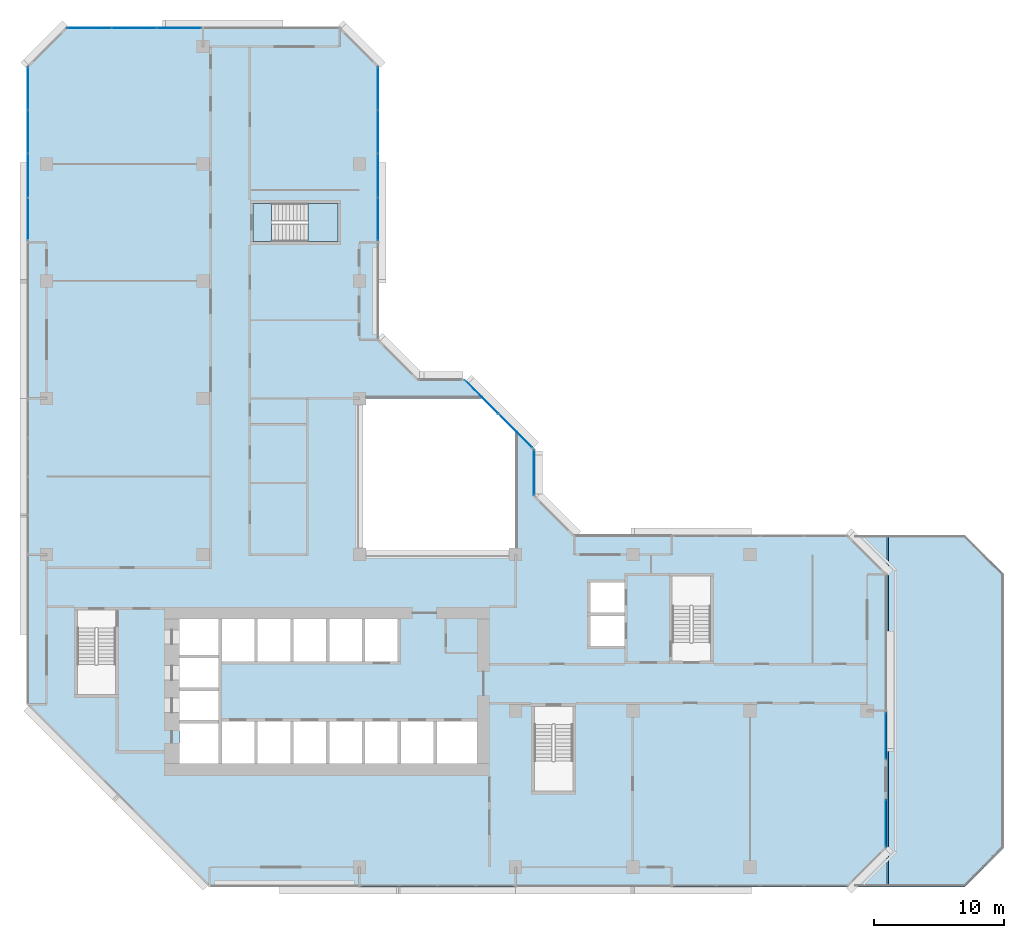
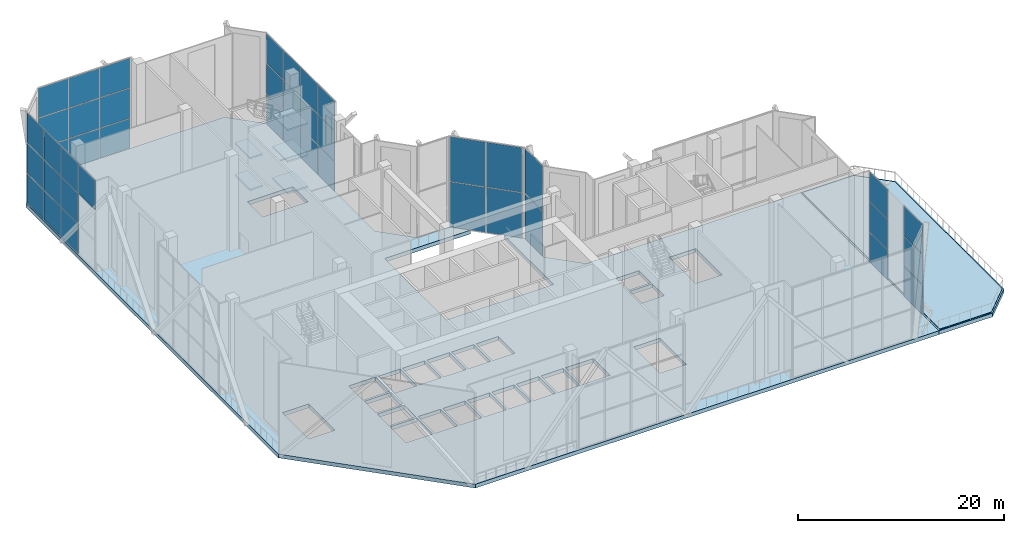
# One storey, part 11 of 21: 43 plates, 8 slabs, 8 elements without a shape of their own.
"""IFC4 building model written with IfcOpenShell, lengths in metres."""

from ifc_helpers import new_model, si_unit, direction, frame, origin, origin_2d, place, context, subcontext, project, spatial, polyline, rectangle, outline, extrude, material, layer, layer_set, type_object, element, aggregate, save


model = new_model("IFC4")

# Units and contexts
model_context = context("Model", 3, precision=1e-05, world=origin(), true_north=direction((0.0, 1.0)))
body_context = subcontext(model_context, "Body", "Model", "MODEL_VIEW")
ifc_project = project(units=[si_unit("LENGTHUNIT", "METRE"), si_unit("AREAUNIT", "SQUARE_METRE"), si_unit("VOLUMEUNIT", "CUBIC_METRE"), si_unit("PLANEANGLEUNIT", "RADIAN"), si_unit("MASSUNIT", "GRAM", prefix="KILO")], contexts=[model_context])

# Site, building, storey
site_placement = place(None, origin())
site = spatial("IfcSite", under=ifc_project, at=site_placement, CompositionType="ELEMENT")
building_placement = place(site_placement, origin())
building = spatial("IfcBuilding", under=site, at=building_placement, Name="Chenar Terraces", CompositionType="ELEMENT")
storey_placement = place(building_placement, frame((0.0, 0.0, 146.14990234375)))
storey = spatial("IfcBuildingStorey", under=building, at=storey_placement, Name="L34", CompositionType="ELEMENT", Elevation=146.14990234375)

# Curtain wall, plates
ifc_material_1 = material(Name="Aluminium framed glazing", Category="aluminium")
ifc_layer_1 = layer(ifc_material_1, 0.14990234375)
ifc_layer_set_1 = layer_set([ifc_layer_1], Name="Aluminium framed glazing")
curtain_wall_type_1 = type_object("IfcCurtainWallType", Name="Atrium mid-zone curtain wall", PredefinedType="NOTDEFINED", material=ifc_layer_set_1)
placement_1 = place(storey_placement, origin())
curtain_wall_1 = element("IfcCurtainWall", 1, at=placement_1, inside=storey, type_object=curtain_wall_type_1, Name="Atrium mid-zone curtain wall", PredefinedType="NOTDEFINED")
ifc_material_2 = material(Name="Low emissivity laminated glass, solar control coating", Category="glass")
ifc_layer_2 = layer(ifc_material_2, 0.031982421875)
ifc_layer_set_2 = layer_set([ifc_layer_2], Name="Low emissivity laminated glass, solar control coating")
plate_type_1 = type_object("IfcPlateType", Name="Atrium mid-zone glazing panel 32", PredefinedType="CURTAIN_PANEL", material=ifc_layer_set_2)
plate_1_placement = place(storey_placement, frame((37.425048828125, 30.300048828125, 0.06982421875), z_axis=(0.0, 0.0, 1.0), x_axis=(0.0, 1.0, 0.0)))
plate_1 = element("IfcPlate", 2, at=plate_1_placement, type_object=plate_type_1, Name="CW7-1 panel 1.1", PredefinedType="CURTAIN_PANEL", context=body_context, shape_type="SweptSolid", body=[
    extrude(rectangle(XDim=3.4599609375, YDim=0.031982421875, at=origin_2d()), origin(), (0.0, 0.0, 1.0), 5.320068359375),
])
plate_2_placement = place(storey_placement, frame((37.425048828125, 30.300048828125, 5.4599609375), z_axis=(0.0, 0.0, 1.0), x_axis=(0.0, 1.0, 0.0)))
plate_2 = element("IfcPlate", 3, at=plate_2_placement, type_object=plate_type_1, Name="CW7-1 panel 1.2", PredefinedType="CURTAIN_PANEL", context=body_context, shape_type="SweptSolid", body=[
    extrude(rectangle(XDim=3.4599609375, YDim=0.031982421875, at=origin_2d()), origin(), (0.0, 0.0, 1.0), 5.320068359375),
])
aggregate(curtain_wall_1, [plate_1, plate_2])

curtain_wall_2 = element("IfcCurtainWall", 4, at=placement_1, inside=storey, type_object=curtain_wall_type_1, Name="Atrium mid-zone curtain wall", PredefinedType="NOTDEFINED")
plate_3_placement = place(storey_placement, frame((35.978515625, 33.515380859375, 0.06982421875), z_axis=(0.0, 0.0, 1.0), x_axis=(-0.707106781187, 0.707106781187, 0.0)))
plate_3 = element("IfcPlate", 5, at=plate_3_placement, type_object=plate_type_1, Name="CW7-2 panel 1.1", PredefinedType="CURTAIN_PANEL", context=body_context, shape_type="SweptSolid", body=[
    extrude(rectangle(XDim=3.61328125, YDim=0.031982421875, at=origin_2d()), origin(), (0.0, 0.0, 1.0), 5.320068359375),
])
plate_4_placement = place(storey_placement, frame((35.978515625, 33.515380859375, 5.4599609375), z_axis=(0.0, 0.0, 1.0), x_axis=(-0.707106781187, 0.707106781187, 0.0)))
plate_4 = element("IfcPlate", 6, at=plate_4_placement, type_object=plate_type_1, Name="CW7-2 panel 1.2", PredefinedType="CURTAIN_PANEL", context=body_context, shape_type="SweptSolid", body=[
    extrude(rectangle(XDim=3.61328125, YDim=0.031982421875, at=origin_2d()), origin(), (0.0, 0.0, 1.0), 5.320068359375),
])
plate_5_placement = place(storey_placement, frame((33.3740234375, 36.119873046875, 0.06982421875), z_axis=(0.0, 0.0, 1.0), x_axis=(-0.707106781187, 0.707106781187, 0.0)))
plate_5 = element("IfcPlate", 7, at=plate_5_placement, type_object=plate_type_1, Name="CW7-2 panel 2.1", PredefinedType="CURTAIN_PANEL", context=body_context, shape_type="SweptSolid", body=[
    extrude(rectangle(XDim=3.61328125, YDim=0.031982421875, at=origin_2d()), origin(), (0.0, 0.0, 1.0), 5.320068359375),
])
plate_6_placement = place(storey_placement, frame((33.3740234375, 36.119873046875, 5.4599609375), z_axis=(0.0, 0.0, 1.0), x_axis=(-0.707106781187, 0.707106781187, 0.0)))
plate_6 = element("IfcPlate", 8, at=plate_6_placement, type_object=plate_type_1, Name="CW7-2 panel 2.2", PredefinedType="CURTAIN_PANEL", context=body_context, shape_type="SweptSolid", body=[
    extrude(rectangle(XDim=3.61328125, YDim=0.031982421875, at=origin_2d()), origin(), (0.0, 0.0, 1.0), 5.320068359375),
])
aggregate(curtain_wall_2, [plate_3, plate_4, plate_5, plate_6])

# Stair, slabs
ifc_material_3 = material(Name="Reinforced concrete C40/50", Category="concrete")
stair_type = type_object("IfcStairType", Name="Core stair 1400 half-turn", PredefinedType="HALF_TURN_STAIR", material=ifc_material_3)
stair = element("IfcStair", 9, at=placement_1, inside=storey, type_object=stair_type, Name="L34 Stair 4", PredefinedType="HALF_TURN_STAIR")
ifc_material_4 = material(Name="Reinforced concrete C40/50", Category="concrete")
ifc_layer_3 = layer(ifc_material_4, 0.199951171875)
ifc_layer_set_3 = layer_set([ifc_layer_3], Name="Reinforced concrete C40/50")
slab_type_1 = type_object("IfcSlabType", Name="Core stair landing 200", PredefinedType="LANDING", material=ifc_layer_set_3)
slab_1_placement = place(storey_placement, frame((0.0, 0.0, 1.675048828125)))
slab_1 = element("IfcSlab", 10, at=slab_1_placement, type_object=slab_type_1, Name="ST4 landing 1", PredefinedType="LANDING", context=body_context, shape_type="SweptSolid", body=[
    extrude(outline(polyline([(20.050048828125, 48.02490234375), (22.35009765625, 48.02490234375), (22.35009765625, 50.97509765625), (20.050048828125, 50.97509765625), (20.050048828125, 48.02490234375)])), origin(), (0.0, 0.0, 1.0), 0.199951171875),
])
slab_2_placement = place(storey_placement, frame((0.0, 0.0, 3.550048828125)))
slab_2 = element("IfcSlab", 11, at=slab_2_placement, type_object=slab_type_1, Name="ST4 landing 2", PredefinedType="LANDING", context=body_context, shape_type="SweptSolid", body=[
    extrude(outline(polyline([(15.85009765625, 48.02490234375), (17.25, 48.02490234375), (17.25, 50.97509765625), (15.85009765625, 50.97509765625), (15.85009765625, 48.02490234375)])), origin(), (0.0, 0.0, 1.0), 0.199951171875),
])
slab_3_placement = place(storey_placement, frame((0.0, 0.0, 5.425048828125)))
slab_3 = element("IfcSlab", 12, at=slab_3_placement, type_object=slab_type_1, Name="ST4 landing 3", PredefinedType="LANDING", context=body_context, shape_type="SweptSolid", body=[
    extrude(outline(polyline([(20.050048828125, 48.02490234375), (22.35009765625, 48.02490234375), (22.35009765625, 50.97509765625), (20.050048828125, 50.97509765625), (20.050048828125, 48.02490234375)])), origin(), (0.0, 0.0, 1.0), 0.199951171875),
])
slab_4_placement = place(storey_placement, frame((0.0, 0.0, 7.300048828125)))
slab_4 = element("IfcSlab", 13, at=slab_4_placement, type_object=slab_type_1, Name="ST4 landing 4", PredefinedType="LANDING", context=body_context, shape_type="SweptSolid", body=[
    extrude(outline(polyline([(15.85009765625, 48.02490234375), (17.25, 48.02490234375), (17.25, 50.97509765625), (15.85009765625, 50.97509765625), (15.85009765625, 48.02490234375)])), origin(), (0.0, 0.0, 1.0), 0.199951171875),
])
slab_5_placement = place(storey_placement, frame((0.0, 0.0, 9.175048828125)))
slab_5 = element("IfcSlab", 14, at=slab_5_placement, type_object=slab_type_1, Name="ST4 landing 5", PredefinedType="LANDING", context=body_context, shape_type="SweptSolid", body=[
    extrude(outline(polyline([(20.050048828125, 48.02490234375), (22.35009765625, 48.02490234375), (22.35009765625, 50.97509765625), (20.050048828125, 50.97509765625), (20.050048828125, 48.02490234375)])), origin(), (0.0, 0.0, 1.0), 0.199951171875),
])
aggregate(stair, [slab_1, slab_2, slab_3, slab_4, slab_5])

# Slab
ifc_material_5 = material(Name="Concrete C40/50", Category="concrete")
ifc_layer_4 = layer(ifc_material_5, 0.449951171875)
ifc_layer_set_4 = layer_set([ifc_layer_4], Name="Concrete C40/50")
slab_type_2 = type_object("IfcSlabType", Name="Floor slab 450 Concrete C40/50", PredefinedType="FLOOR", material=ifc_layer_set_4)
placement_2 = place(storey_placement, frame((0.0, 0.0, -0.449951171875)))
element("IfcSlab", 15, at=placement_2, inside=storey, type_object=slab_type_2, Name="Floor slab L34", PredefinedType="FLOOR", context=body_context, shape_type="SweptSolid", body=[
    extrude(outline(polyline([(61.501953125, -1.498046875), (12.500732421875, -1.498046875), (-1.498046875, 12.500732421875), (-1.498046875, 61.499267578125), (1.500732421875, 64.498046875), (22.499267578125, 64.498046875), (25.498046875, 61.499267578125), (25.498046875, 40.499267578125), (28.499267578125, 37.498046875), (32.09912109375, 37.498046875), (33.59716796875, 36.0), (24.0, 36.0), (24.0, 24.0), (36.0, 24.0), (36.0, 33.59716796875), (37.498046875, 32.09912109375), (37.498046875, 28.499267578125), (40.499267578125, 25.498046875), (61.501953125, 25.498046875), (61.5, 25.5), (64.5, 25.5), (64.5, 22.5), (64.498046875, 22.501953125), (64.498046875, 1.498046875), (64.5, 1.5), (64.5, -1.5), (61.5, -1.5), (61.501953125, -1.498046875)]), holes=[polyline([(13.199951171875, 11.050048828125), (10.199951171875, 11.050048828125), (10.199951171875, 7.949951171875), (13.199951171875, 7.949951171875), (13.199951171875, 11.050048828125)]), polyline([(15.949951171875, 11.199951171875), (13.449951171875, 11.199951171875), (13.449951171875, 7.949951171875), (15.949951171875, 7.949951171875), (15.949951171875, 11.199951171875)]), polyline([(18.699951171875, 11.199951171875), (16.199951171875, 11.199951171875), (16.199951171875, 7.949951171875), (18.699951171875, 7.949951171875), (18.699951171875, 11.199951171875)]), polyline([(21.449951171875, 7.949951171875), (21.449951171875, 11.199951171875), (18.949951171875, 11.199951171875), (18.949951171875, 7.949951171875), (21.449951171875, 7.949951171875)]), polyline([(13.199951171875, 11.300048828125), (13.199951171875, 13.550048828125), (10.199951171875, 13.550048828125), (10.199951171875, 11.300048828125), (13.199951171875, 11.300048828125)]), polyline([(13.199951171875, 16.050048828125), (10.199951171875, 16.050048828125), (10.199951171875, 13.800048828125), (13.199951171875, 13.800048828125), (13.199951171875, 16.050048828125)]), polyline([(2.35009765625, 18.35009765625), (2.35009765625, 13.25), (5.300048828125, 13.25), (5.300048828125, 18.35009765625), (2.35009765625, 18.35009765625)]), polyline([(15.949951171875, 15.800048828125), (15.949951171875, 19.050048828125), (13.449951171875, 19.050048828125), (13.449951171875, 15.800048828125), (15.949951171875, 15.800048828125)]), polyline([(18.699951171875, 19.050048828125), (16.199951171875, 19.050048828125), (16.199951171875, 15.800048828125), (18.699951171875, 15.800048828125), (18.699951171875, 19.050048828125)]), polyline([(21.449951171875, 15.800048828125), (21.449951171875, 19.050048828125), (18.949951171875, 19.050048828125), (18.949951171875, 15.800048828125), (21.449951171875, 15.800048828125)]), polyline([(13.199951171875, 16.300048828125), (13.199951171875, 19.050048828125), (10.199951171875, 19.050048828125), (10.199951171875, 16.300048828125), (13.199951171875, 16.300048828125)]), polyline([(22.35009765625, 48.02490234375), (22.35009765625, 50.97509765625), (17.25, 50.97509765625), (17.25, 48.02490234375), (22.35009765625, 48.02490234375)]), polyline([(37.449951171875, 10.949951171875), (37.449951171875, 5.85009765625), (40.39990234375, 5.85009765625), (40.39990234375, 10.949951171875), (37.449951171875, 10.949951171875)]), polyline([(24.199951171875, 7.949951171875), (24.199951171875, 11.199951171875), (21.699951171875, 11.199951171875), (21.699951171875, 7.949951171875), (24.199951171875, 7.949951171875)]), polyline([(26.949951171875, 11.199951171875), (24.449951171875, 11.199951171875), (24.449951171875, 7.949951171875), (26.949951171875, 7.949951171875), (26.949951171875, 11.199951171875)]), polyline([(29.699951171875, 7.949951171875), (29.699951171875, 11.199951171875), (27.199951171875, 11.199951171875), (27.199951171875, 7.949951171875), (29.699951171875, 7.949951171875)]), polyline([(33.050048828125, 7.949951171875), (33.050048828125, 11.199951171875), (29.949951171875, 11.199951171875), (29.949951171875, 7.949951171875), (33.050048828125, 7.949951171875)]), polyline([(24.199951171875, 19.050048828125), (21.699951171875, 19.050048828125), (21.699951171875, 15.800048828125), (24.199951171875, 15.800048828125), (24.199951171875, 19.050048828125)]), polyline([(26.949951171875, 15.800048828125), (26.949951171875, 19.050048828125), (24.449951171875, 19.050048828125), (24.449951171875, 15.800048828125), (26.949951171875, 15.800048828125)]), polyline([(44.35009765625, 17.0), (44.35009765625, 19.300048828125), (41.75, 19.300048828125), (41.75, 17.0), (44.35009765625, 17.0)]), polyline([(50.97509765625, 22.35009765625), (48.02490234375, 22.35009765625), (48.02490234375, 17.25), (50.97509765625, 17.25), (50.97509765625, 22.35009765625)]), polyline([(44.35009765625, 19.550048828125), (44.35009765625, 21.85009765625), (41.75, 21.85009765625), (41.75, 19.550048828125), (44.35009765625, 19.550048828125)])]), origin(), (0.0, 0.0, 1.0), 0.449951171875),
])

# Curtain wall, plates
ifc_material_6 = material(Name="Aluminium framed glazing", Category="aluminium")
ifc_layer_5 = layer(ifc_material_6, 0.14990234375)
ifc_layer_set_5 = layer_set([ifc_layer_5], Name="Aluminium framed glazing")
curtain_wall_type_2 = type_object("IfcCurtainWallType", Name="Sky garden curtain wall", PredefinedType="NOTDEFINED", material=ifc_layer_set_5)
curtain_wall_3 = element("IfcCurtainWall", 16, at=placement_1, inside=storey, type_object=curtain_wall_type_2, Name="Sky garden curtain wall", PredefinedType="NOTDEFINED")
ifc_material_7 = material(Name="Low emissivity laminated glass, solar control coating", Category="glass")
ifc_layer_6 = layer(ifc_material_7, 0.031982421875)
ifc_layer_set_6 = layer_set([ifc_layer_6], Name="Low emissivity laminated glass, solar control coating")
plate_type_2 = type_object("IfcPlateType", Name="Sky garden glazing panel 32", PredefinedType="CURTAIN_PANEL", material=ifc_layer_set_6)
plate_7_placement = place(storey_placement, frame((25.425048828125, 49.773193359375, 0.080078125), z_axis=(0.0, 0.0, 1.0), x_axis=(0.0, 1.0, 0.0)))
plate_7 = element("IfcPlate", 17, at=plate_7_placement, type_object=plate_type_2, Name="CW3-02 panel 1.1", PredefinedType="CURTAIN_PANEL", context=body_context, shape_type="SweptSolid", body=[
    extrude(rectangle(XDim=3.236328125, YDim=0.028076171875, at=origin_2d()), origin(), (0.0, 0.0, 1.0), 3.4970703125),
])
plate_8_placement = place(storey_placement, frame((25.425048828125, 49.773193359375, 3.6572265625), z_axis=(0.0, 0.0, 1.0), x_axis=(0.0, 1.0, 0.0)))
plate_8 = element("IfcPlate", 18, at=plate_8_placement, type_object=plate_type_2, Name="CW3-02 panel 1.2", PredefinedType="CURTAIN_PANEL", context=body_context, shape_type="SweptSolid", body=[
    extrude(rectangle(XDim=3.236328125, YDim=0.028076171875, at=origin_2d()), origin(), (0.0, 0.0, 1.0), 3.535888671875),
])
plate_9_placement = place(storey_placement, frame((25.425048828125, 49.773193359375, 7.27294921875), z_axis=(0.0, 0.0, 1.0), x_axis=(0.0, 1.0, 0.0)))
plate_9 = element("IfcPlate", 19, at=plate_9_placement, type_object=plate_type_2, Name="CW3-02 panel 1.3", PredefinedType="CURTAIN_PANEL", context=body_context, shape_type="SweptSolid", body=[
    extrude(rectangle(XDim=3.236328125, YDim=0.028076171875, at=origin_2d()), origin(), (0.0, 0.0, 1.0), 3.4970703125),
])
plate_10_placement = place(storey_placement, frame((25.425048828125, 53.109375, 0.080078125), z_axis=(0.0, 0.0, 1.0), x_axis=(0.0, 1.0, 0.0)))
plate_10 = element("IfcPlate", 20, at=plate_10_placement, type_object=plate_type_2, Name="CW3-02 panel 2.1", PredefinedType="CURTAIN_PANEL", context=body_context, shape_type="SweptSolid", body=[
    extrude(rectangle(XDim=3.2763671875, YDim=0.028076171875, at=origin_2d()), origin(), (0.0, 0.0, 1.0), 3.4970703125),
])
plate_11_placement = place(storey_placement, frame((25.425048828125, 53.109375, 3.6572265625), z_axis=(0.0, 0.0, 1.0), x_axis=(0.0, 1.0, 0.0)))
plate_11 = element("IfcPlate", 21, at=plate_11_placement, type_object=plate_type_2, Name="CW3-02 panel 2.2", PredefinedType="CURTAIN_PANEL", context=body_context, shape_type="SweptSolid", body=[
    extrude(rectangle(XDim=3.2763671875, YDim=0.028076171875, at=origin_2d()), origin(), (0.0, 0.0, 1.0), 3.535888671875),
])
plate_12_placement = place(storey_placement, frame((25.425048828125, 53.109375, 7.27294921875), z_axis=(0.0, 0.0, 1.0), x_axis=(0.0, 1.0, 0.0)))
plate_12 = element("IfcPlate", 22, at=plate_12_placement, type_object=plate_type_2, Name="CW3-02 panel 2.3", PredefinedType="CURTAIN_PANEL", context=body_context, shape_type="SweptSolid", body=[
    extrude(rectangle(XDim=3.2763671875, YDim=0.028076171875, at=origin_2d()), origin(), (0.0, 0.0, 1.0), 3.4970703125),
])
plate_13_placement = place(storey_placement, frame((25.425048828125, 56.465576171875, 0.080078125), z_axis=(0.0, 0.0, 1.0), x_axis=(0.0, 1.0, 0.0)))
plate_13 = element("IfcPlate", 23, at=plate_13_placement, type_object=plate_type_2, Name="CW3-02 panel 3.1", PredefinedType="CURTAIN_PANEL", context=body_context, shape_type="SweptSolid", body=[
    extrude(rectangle(XDim=3.2763671875, YDim=0.028076171875, at=origin_2d()), origin(), (0.0, 0.0, 1.0), 3.4970703125),
])
plate_14_placement = place(storey_placement, frame((25.425048828125, 56.465576171875, 3.6572265625), z_axis=(0.0, 0.0, 1.0), x_axis=(0.0, 1.0, 0.0)))
plate_14 = element("IfcPlate", 24, at=plate_14_placement, type_object=plate_type_2, Name="CW3-02 panel 3.2", PredefinedType="CURTAIN_PANEL", context=body_context, shape_type="SweptSolid", body=[
    extrude(rectangle(XDim=3.2763671875, YDim=0.028076171875, at=origin_2d()), origin(), (0.0, 0.0, 1.0), 3.535888671875),
])
plate_15_placement = place(storey_placement, frame((25.425048828125, 56.465576171875, 7.27294921875), z_axis=(0.0, 0.0, 1.0), x_axis=(0.0, 1.0, 0.0)))
plate_15 = element("IfcPlate", 25, at=plate_15_placement, type_object=plate_type_2, Name="CW3-02 panel 3.3", PredefinedType="CURTAIN_PANEL", context=body_context, shape_type="SweptSolid", body=[
    extrude(rectangle(XDim=3.2763671875, YDim=0.028076171875, at=origin_2d()), origin(), (0.0, 0.0, 1.0), 3.4970703125),
])
plate_16_placement = place(storey_placement, frame((25.425048828125, 59.8017578125, 0.080078125), z_axis=(0.0, 0.0, 1.0), x_axis=(0.0, 1.0, 0.0)))
plate_16 = element("IfcPlate", 26, at=plate_16_placement, type_object=plate_type_2, Name="CW3-02 panel 4.1", PredefinedType="CURTAIN_PANEL", context=body_context, shape_type="SweptSolid", body=[
    extrude(rectangle(XDim=3.236328125, YDim=0.028076171875, at=origin_2d()), origin(), (0.0, 0.0, 1.0), 3.4970703125),
])
plate_17_placement = place(storey_placement, frame((25.425048828125, 59.8017578125, 3.6572265625), z_axis=(0.0, 0.0, 1.0), x_axis=(0.0, 1.0, 0.0)))
plate_17 = element("IfcPlate", 27, at=plate_17_placement, type_object=plate_type_2, Name="CW3-02 panel 4.2", PredefinedType="CURTAIN_PANEL", context=body_context, shape_type="SweptSolid", body=[
    extrude(rectangle(XDim=3.236328125, YDim=0.028076171875, at=origin_2d()), origin(), (0.0, 0.0, 1.0), 3.535888671875),
])
plate_18_placement = place(storey_placement, frame((25.425048828125, 59.8017578125, 7.27294921875), z_axis=(0.0, 0.0, 1.0), x_axis=(0.0, 1.0, 0.0)))
plate_18 = element("IfcPlate", 28, at=plate_18_placement, type_object=plate_type_2, Name="CW3-02 panel 4.3", PredefinedType="CURTAIN_PANEL", context=body_context, shape_type="SweptSolid", body=[
    extrude(rectangle(XDim=3.236328125, YDim=0.028076171875, at=origin_2d()), origin(), (0.0, 0.0, 1.0), 3.4970703125),
])
aggregate(curtain_wall_3, [plate_7, plate_8, plate_9, plate_10, plate_11, plate_12, plate_13, plate_14, plate_15, plate_16, plate_17, plate_18])

curtain_wall_4 = element("IfcCurtainWall", 29, at=placement_1, inside=storey, type_object=curtain_wall_type_2, Name="Sky garden curtain wall", PredefinedType="NOTDEFINED")
plate_19_placement = place(storey_placement, frame((10.16748046875, 64.425048828125, 0.080078125), z_axis=(0.0, 0.0, 1.0), x_axis=(-1.0, 0.0, 0.0)))
plate_19 = element("IfcPlate", 30, at=plate_19_placement, type_object=plate_type_2, Name="CW3-03 panel 1.1", PredefinedType="CURTAIN_PANEL", context=body_context, shape_type="SweptSolid", body=[
    extrude(rectangle(XDim=3.35498046875, YDim=0.028076171875, at=origin_2d()), origin(), (0.0, 0.0, 1.0), 3.4970703125),
])
plate_20_placement = place(storey_placement, frame((10.16748046875, 64.425048828125, 3.6572265625), z_axis=(0.0, 0.0, 1.0), x_axis=(-1.0, 0.0, 0.0)))
plate_20 = element("IfcPlate", 31, at=plate_20_placement, type_object=plate_type_2, Name="CW3-03 panel 1.2", PredefinedType="CURTAIN_PANEL", context=body_context, shape_type="SweptSolid", body=[
    extrude(rectangle(XDim=3.35498046875, YDim=0.028076171875, at=origin_2d()), origin(), (0.0, 0.0, 1.0), 3.535888671875),
])
plate_21_placement = place(storey_placement, frame((10.16748046875, 64.425048828125, 7.27294921875), z_axis=(0.0, 0.0, 1.0), x_axis=(-1.0, 0.0, 0.0)))
plate_21 = element("IfcPlate", 32, at=plate_21_placement, type_object=plate_type_2, Name="CW3-03 panel 1.3", PredefinedType="CURTAIN_PANEL", context=body_context, shape_type="SweptSolid", body=[
    extrude(rectangle(XDim=3.35498046875, YDim=0.028076171875, at=origin_2d()), origin(), (0.0, 0.0, 1.0), 3.4970703125),
])
plate_22_placement = place(storey_placement, frame((6.71240234375, 64.425048828125, 0.080078125), z_axis=(0.0, 0.0, 1.0), x_axis=(-1.0, 0.0, 0.0)))
plate_22 = element("IfcPlate", 33, at=plate_22_placement, type_object=plate_type_2, Name="CW3-03 panel 2.1", PredefinedType="CURTAIN_PANEL", context=body_context, shape_type="SweptSolid", body=[
    extrude(rectangle(XDim=3.39501953125, YDim=0.028076171875, at=origin_2d()), origin(), (0.0, 0.0, 1.0), 3.4970703125),
])
plate_23_placement = place(storey_placement, frame((6.71240234375, 64.425048828125, 3.6572265625), z_axis=(0.0, 0.0, 1.0), x_axis=(-1.0, 0.0, 0.0)))
plate_23 = element("IfcPlate", 34, at=plate_23_placement, type_object=plate_type_2, Name="CW3-03 panel 2.2", PredefinedType="CURTAIN_PANEL", context=body_context, shape_type="SweptSolid", body=[
    extrude(rectangle(XDim=3.39501953125, YDim=0.028076171875, at=origin_2d()), origin(), (0.0, 0.0, 1.0), 3.535888671875),
])
plate_24_placement = place(storey_placement, frame((6.71240234375, 64.425048828125, 7.27294921875), z_axis=(0.0, 0.0, 1.0), x_axis=(-1.0, 0.0, 0.0)))
plate_24 = element("IfcPlate", 35, at=plate_24_placement, type_object=plate_type_2, Name="CW3-03 panel 2.3", PredefinedType="CURTAIN_PANEL", context=body_context, shape_type="SweptSolid", body=[
    extrude(rectangle(XDim=3.39501953125, YDim=0.028076171875, at=origin_2d()), origin(), (0.0, 0.0, 1.0), 3.4970703125),
])
plate_25_placement = place(storey_placement, frame((3.257568359375, 64.425048828125, 0.080078125), z_axis=(0.0, 0.0, 1.0), x_axis=(-1.0, 0.0, 0.0)))
plate_25 = element("IfcPlate", 36, at=plate_25_placement, type_object=plate_type_2, Name="CW3-03 panel 3.1", PredefinedType="CURTAIN_PANEL", context=body_context, shape_type="SweptSolid", body=[
    extrude(rectangle(XDim=3.35498046875, YDim=0.028076171875, at=origin_2d()), origin(), (0.0, 0.0, 1.0), 3.4970703125),
])
plate_26_placement = place(storey_placement, frame((3.257568359375, 64.425048828125, 3.6572265625), z_axis=(0.0, 0.0, 1.0), x_axis=(-1.0, 0.0, 0.0)))
plate_26 = element("IfcPlate", 37, at=plate_26_placement, type_object=plate_type_2, Name="CW3-03 panel 3.2", PredefinedType="CURTAIN_PANEL", context=body_context, shape_type="SweptSolid", body=[
    extrude(rectangle(XDim=3.35498046875, YDim=0.028076171875, at=origin_2d()), origin(), (0.0, 0.0, 1.0), 3.535888671875),
])
plate_27_placement = place(storey_placement, frame((3.257568359375, 64.425048828125, 7.27294921875), z_axis=(0.0, 0.0, 1.0), x_axis=(-1.0, 0.0, 0.0)))
plate_27 = element("IfcPlate", 38, at=plate_27_placement, type_object=plate_type_2, Name="CW3-03 panel 3.3", PredefinedType="CURTAIN_PANEL", context=body_context, shape_type="SweptSolid", body=[
    extrude(rectangle(XDim=3.35498046875, YDim=0.028076171875, at=origin_2d()), origin(), (0.0, 0.0, 1.0), 3.4970703125),
])
aggregate(curtain_wall_4, [plate_19, plate_20, plate_21, plate_22, plate_23, plate_24, plate_25, plate_26, plate_27])

curtain_wall_5 = element("IfcCurtainWall", 39, at=placement_1, inside=storey, type_object=curtain_wall_type_2, Name="Sky garden curtain wall", PredefinedType="NOTDEFINED")
plate_28_placement = place(storey_placement, frame((-1.425048828125, 59.8017578125, 0.080078125), z_axis=(0.0, 0.0, 1.0), x_axis=(0.0, -1.0, 0.0)))
plate_28 = element("IfcPlate", 40, at=plate_28_placement, type_object=plate_type_2, Name="CW3-04 panel 1.1", PredefinedType="CURTAIN_PANEL", context=body_context, shape_type="SweptSolid", body=[
    extrude(rectangle(XDim=3.236328125, YDim=0.028076171875, at=origin_2d()), origin(), (0.0, 0.0, 1.0), 3.4970703125),
])
plate_29_placement = place(storey_placement, frame((-1.425048828125, 59.8017578125, 3.6572265625), z_axis=(0.0, 0.0, 1.0), x_axis=(0.0, -1.0, 0.0)))
plate_29 = element("IfcPlate", 41, at=plate_29_placement, type_object=plate_type_2, Name="CW3-04 panel 1.2", PredefinedType="CURTAIN_PANEL", context=body_context, shape_type="SweptSolid", body=[
    extrude(rectangle(XDim=3.236328125, YDim=0.028076171875, at=origin_2d()), origin(), (0.0, 0.0, 1.0), 3.535888671875),
])
plate_30_placement = place(storey_placement, frame((-1.425048828125, 59.8017578125, 7.27294921875), z_axis=(0.0, 0.0, 1.0), x_axis=(0.0, -1.0, 0.0)))
plate_30 = element("IfcPlate", 42, at=plate_30_placement, type_object=plate_type_2, Name="CW3-04 panel 1.3", PredefinedType="CURTAIN_PANEL", context=body_context, shape_type="SweptSolid", body=[
    extrude(rectangle(XDim=3.236328125, YDim=0.028076171875, at=origin_2d()), origin(), (0.0, 0.0, 1.0), 3.4970703125),
])
plate_31_placement = place(storey_placement, frame((-1.425048828125, 56.465576171875, 0.080078125), z_axis=(0.0, 0.0, 1.0), x_axis=(0.0, -1.0, 0.0)))
plate_31 = element("IfcPlate", 43, at=plate_31_placement, type_object=plate_type_2, Name="CW3-04 panel 2.1", PredefinedType="CURTAIN_PANEL", context=body_context, shape_type="SweptSolid", body=[
    extrude(rectangle(XDim=3.2763671875, YDim=0.028076171875, at=origin_2d()), origin(), (0.0, 0.0, 1.0), 3.4970703125),
])
plate_32_placement = place(storey_placement, frame((-1.425048828125, 56.465576171875, 3.6572265625), z_axis=(0.0, 0.0, 1.0), x_axis=(0.0, -1.0, 0.0)))
plate_32 = element("IfcPlate", 44, at=plate_32_placement, type_object=plate_type_2, Name="CW3-04 panel 2.2", PredefinedType="CURTAIN_PANEL", context=body_context, shape_type="SweptSolid", body=[
    extrude(rectangle(XDim=3.2763671875, YDim=0.028076171875, at=origin_2d()), origin(), (0.0, 0.0, 1.0), 3.535888671875),
])
plate_33_placement = place(storey_placement, frame((-1.425048828125, 56.465576171875, 7.27294921875), z_axis=(0.0, 0.0, 1.0), x_axis=(0.0, -1.0, 0.0)))
plate_33 = element("IfcPlate", 45, at=plate_33_placement, type_object=plate_type_2, Name="CW3-04 panel 2.3", PredefinedType="CURTAIN_PANEL", context=body_context, shape_type="SweptSolid", body=[
    extrude(rectangle(XDim=3.2763671875, YDim=0.028076171875, at=origin_2d()), origin(), (0.0, 0.0, 1.0), 3.4970703125),
])
plate_34_placement = place(storey_placement, frame((-1.425048828125, 53.109375, 0.080078125), z_axis=(0.0, 0.0, 1.0), x_axis=(0.0, -1.0, 0.0)))
plate_34 = element("IfcPlate", 46, at=plate_34_placement, type_object=plate_type_2, Name="CW3-04 panel 3.1", PredefinedType="CURTAIN_PANEL", context=body_context, shape_type="SweptSolid", body=[
    extrude(rectangle(XDim=3.2763671875, YDim=0.028076171875, at=origin_2d()), origin(), (0.0, 0.0, 1.0), 3.4970703125),
])
plate_35_placement = place(storey_placement, frame((-1.425048828125, 53.109375, 3.6572265625), z_axis=(0.0, 0.0, 1.0), x_axis=(0.0, -1.0, 0.0)))
plate_35 = element("IfcPlate", 47, at=plate_35_placement, type_object=plate_type_2, Name="CW3-04 panel 3.2", PredefinedType="CURTAIN_PANEL", context=body_context, shape_type="SweptSolid", body=[
    extrude(rectangle(XDim=3.2763671875, YDim=0.028076171875, at=origin_2d()), origin(), (0.0, 0.0, 1.0), 3.535888671875),
])
plate_36_placement = place(storey_placement, frame((-1.425048828125, 53.109375, 7.27294921875), z_axis=(0.0, 0.0, 1.0), x_axis=(0.0, -1.0, 0.0)))
plate_36 = element("IfcPlate", 48, at=plate_36_placement, type_object=plate_type_2, Name="CW3-04 panel 3.3", PredefinedType="CURTAIN_PANEL", context=body_context, shape_type="SweptSolid", body=[
    extrude(rectangle(XDim=3.2763671875, YDim=0.028076171875, at=origin_2d()), origin(), (0.0, 0.0, 1.0), 3.4970703125),
])
plate_37_placement = place(storey_placement, frame((-1.425048828125, 49.773193359375, 7.27294921875), z_axis=(0.0, 0.0, 1.0), x_axis=(0.0, -1.0, 0.0)))
plate_37 = element("IfcPlate", 49, at=plate_37_placement, type_object=plate_type_2, Name="CW3-04 panel 4.3", PredefinedType="CURTAIN_PANEL", context=body_context, shape_type="SweptSolid", body=[
    extrude(rectangle(XDim=3.236328125, YDim=0.028076171875, at=origin_2d()), origin(), (0.0, 0.0, 1.0), 3.4970703125),
])
aggregate(curtain_wall_5, [plate_28, plate_29, plate_30, plate_31, plate_32, plate_33, plate_34, plate_35, plate_36, plate_37])

curtain_wall_6 = element("IfcCurtainWall", 50, at=placement_1, inside=storey, type_object=curtain_wall_type_2, Name="Sky garden curtain wall", PredefinedType="NOTDEFINED")
plate_38_placement = place(storey_placement, frame((64.425048828125, 3.36865234375, 0.080078125), z_axis=(0.0, 0.0, 1.0), x_axis=(0.0, 1.0, 0.0)))
plate_38 = element("IfcPlate", 51, at=plate_38_placement, type_object=plate_type_2, Name="CW3-08 panel 1.1", PredefinedType="CURTAIN_PANEL", context=body_context, shape_type="SweptSolid", body=[
    extrude(rectangle(XDim=3.577392578125, YDim=0.028076171875, at=origin_2d()), origin(), (0.0, 0.0, 1.0), 3.4970703125),
])
plate_39_placement = place(storey_placement, frame((64.425048828125, 3.36865234375, 3.6572265625), z_axis=(0.0, 0.0, 1.0), x_axis=(0.0, 1.0, 0.0)))
plate_39 = element("IfcPlate", 52, at=plate_39_placement, type_object=plate_type_2, Name="CW3-08 panel 1.2", PredefinedType="CURTAIN_PANEL", context=body_context, shape_type="SweptSolid", body=[
    extrude(rectangle(XDim=3.577392578125, YDim=0.028076171875, at=origin_2d()), origin(), (0.0, 0.0, 1.0), 3.535888671875),
])
plate_40_placement = place(storey_placement, frame((64.425048828125, 3.36865234375, 7.27294921875), z_axis=(0.0, 0.0, 1.0), x_axis=(0.0, 1.0, 0.0)))
plate_40 = element("IfcPlate", 53, at=plate_40_placement, type_object=plate_type_2, Name="CW3-08 panel 1.3", PredefinedType="CURTAIN_PANEL", context=body_context, shape_type="SweptSolid", body=[
    extrude(rectangle(XDim=3.577392578125, YDim=0.028076171875, at=origin_2d()), origin(), (0.0, 0.0, 1.0), 3.4970703125),
])
aggregate(curtain_wall_6, [plate_38, plate_39, plate_40])

curtain_wall_7 = element("IfcCurtainWall", 54, at=placement_1, inside=storey, type_object=curtain_wall_type_2, Name="Sky garden curtain wall", PredefinedType="NOTDEFINED")
plate_41_placement = place(storey_placement, frame((64.425048828125, 10.09375, 0.080078125), z_axis=(0.0, 0.0, 1.0), x_axis=(0.0, 1.0, 0.0)))
plate_41 = element("IfcPlate", 55, at=plate_41_placement, type_object=plate_type_2, Name="CW3-09 panel 1.1", PredefinedType="CURTAIN_PANEL", context=body_context, shape_type="SweptSolid", body=[
    extrude(rectangle(XDim=3.50244140625, YDim=0.028076171875, at=origin_2d()), origin(), (0.0, 0.0, 1.0), 3.4970703125),
])
plate_42_placement = place(storey_placement, frame((64.425048828125, 10.09375, 3.6572265625), z_axis=(0.0, 0.0, 1.0), x_axis=(0.0, 1.0, 0.0)))
plate_42 = element("IfcPlate", 56, at=plate_42_placement, type_object=plate_type_2, Name="CW3-09 panel 1.2", PredefinedType="CURTAIN_PANEL", context=body_context, shape_type="SweptSolid", body=[
    extrude(rectangle(XDim=3.50244140625, YDim=0.028076171875, at=origin_2d()), origin(), (0.0, 0.0, 1.0), 3.535888671875),
])
plate_43_placement = place(storey_placement, frame((64.425048828125, 10.09375, 7.27294921875), z_axis=(0.0, 0.0, 1.0), x_axis=(0.0, 1.0, 0.0)))
plate_43 = element("IfcPlate", 57, at=plate_43_placement, type_object=plate_type_2, Name="CW3-09 panel 1.3", PredefinedType="CURTAIN_PANEL", context=body_context, shape_type="SweptSolid", body=[
    extrude(rectangle(XDim=3.50244140625, YDim=0.028076171875, at=origin_2d()), origin(), (0.0, 0.0, 1.0), 3.4970703125),
])
aggregate(curtain_wall_7, [plate_41, plate_42, plate_43])

# Slabs
ifc_material_8 = material(Name="Limestone paving", Category="masonry")
ifc_layer_7 = layer(ifc_material_8, 0.050048828125)
ifc_layer_set_7 = layer_set([ifc_layer_7], Name="Limestone paving")
slab_type_3 = type_object("IfcSlabType", Name="Terrace paving 50", PredefinedType="USERDEFINED", material=ifc_layer_set_7)
element("IfcSlab", 58, at=placement_1, inside=storey, type_object=slab_type_3, Name="Terrace paving", ObjectType="PAVING", PredefinedType="USERDEFINED", context=body_context, shape_type="SweptSolid", body=[
    extrude(outline(polyline([(73.35009765625, 1.56201171875), (70.43798828125, -1.35009765625), (64.64990234375, -1.35009765625), (64.64990234375, 25.35009765625), (70.43798828125, 25.35009765625), (73.35009765625, 22.43798828125), (73.35009765625, 1.56201171875)])), origin(), (0.0, 0.0, 1.0), 0.050048828125),
])
ifc_material_9 = material(Name="Concrete C40/50", Category="concrete")
ifc_layer_8 = layer(ifc_material_9, 0.449951171875)
ifc_layer_set_8 = layer_set([ifc_layer_8], Name="Concrete C40/50")
slab_type_4 = type_object("IfcSlabType", Name="Terrace slab 450 Concrete C40/50", PredefinedType="FLOOR", material=ifc_layer_set_8)
element("IfcSlab", 59, at=placement_2, inside=storey, type_object=slab_type_4, Name="Terrace slab L34", PredefinedType="FLOOR", context=body_context, shape_type="SweptSolid", body=[
    extrude(outline(polyline([(73.5, 1.5), (70.5, -1.5), (64.5, -1.5), (64.5, 1.5), (64.5, 22.5), (64.5, 25.5), (70.5, 25.5), (73.5, 22.5), (73.5, 1.5)])), origin(), (0.0, 0.0, 1.0), 0.449951171875),
])

save(model, "model.ifc")
